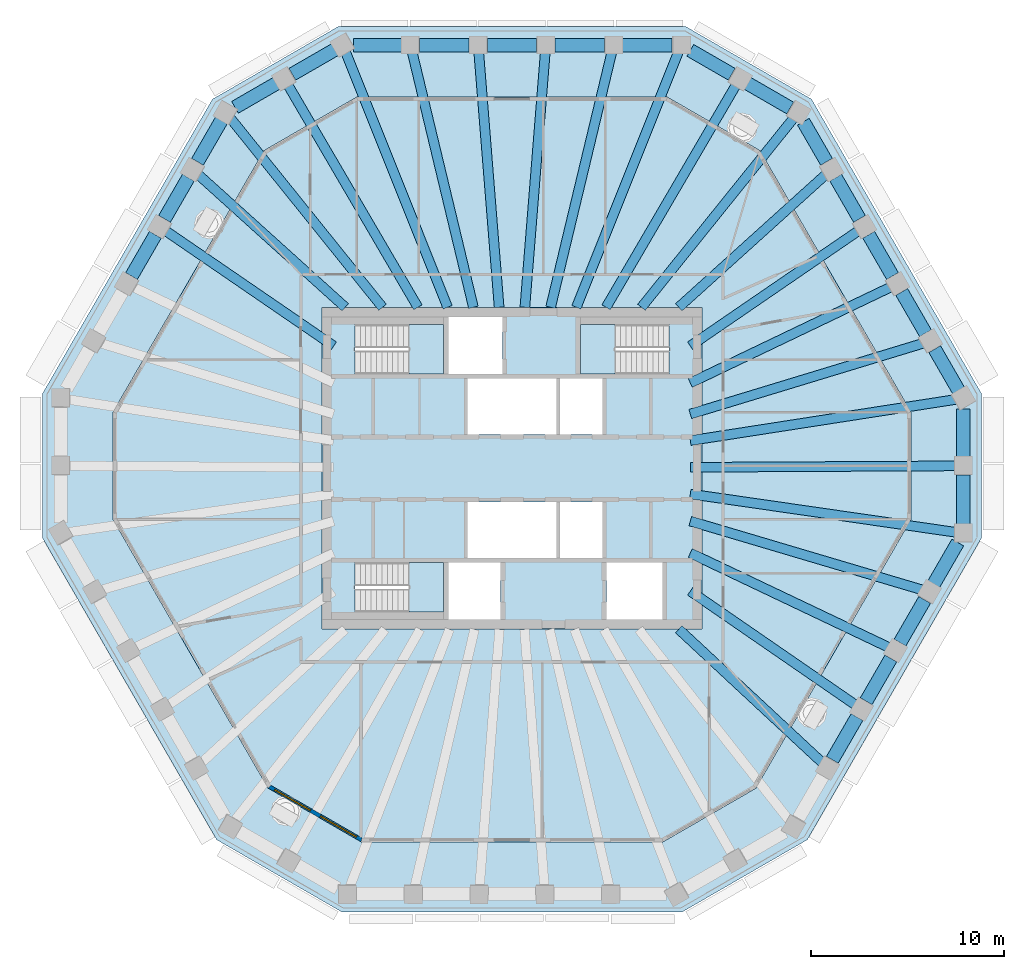
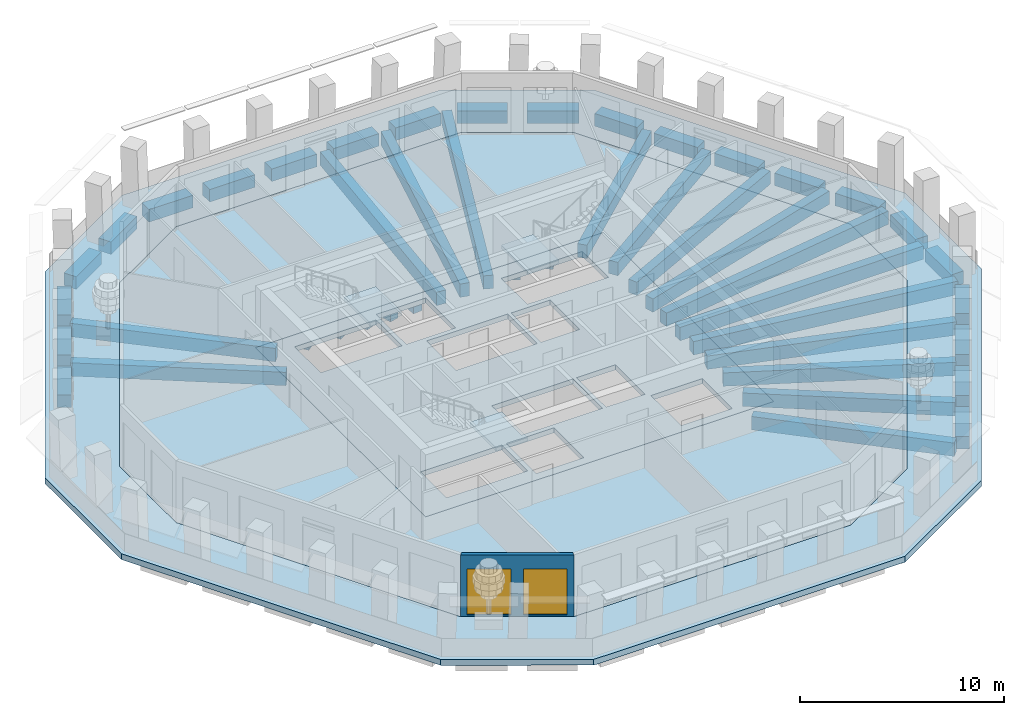
# One storey, part 2 of 12: 46 beams, 6 slabs, 2 windows, 1 wall, 2 openings, 3 elements without a shape of their own.
"""IFC4 building model written with IfcOpenShell, lengths in metres."""

from ifc_helpers import new_model, si_unit, direction, frame, frame_2d, origin, origin_2d, place, context, subcontext, project, spatial, polyline, rectangle, outline, extrude, material, layer, layer_set, material_profile, profile_set, type_object, element, fill, aggregate, save


model = new_model("IFC4")

# Units and contexts
model_context = context("Model", 3, precision=1e-05, world=origin(), true_north=direction((0.0, 1.0)))
body_context = subcontext(model_context, "Body", "Model", "MODEL_VIEW")
ifc_project = project(units=[si_unit("LENGTHUNIT", "METRE"), si_unit("AREAUNIT", "SQUARE_METRE"), si_unit("VOLUMEUNIT", "CUBIC_METRE"), si_unit("PLANEANGLEUNIT", "RADIAN"), si_unit("MASSUNIT", "GRAM", prefix="KILO")], contexts=[model_context])

# Site, building, storey
site_placement = place(None, origin())
site = spatial("IfcSite", under=ifc_project, at=site_placement, CompositionType="ELEMENT")
building_placement = place(site_placement, origin())
building = spatial("IfcBuilding", under=site, at=building_placement, Name="Frailejon Research Tower", CompositionType="ELEMENT")
storey_placement = place(building_placement, frame((0.0, 0.0, 267.0)))
storey = spatial("IfcBuildingStorey", under=building, at=storey_placement, Name="L58", CompositionType="ELEMENT", Elevation=267.0)

# Beams
ifc_material_1 = material(Name="Concrete C60/75", Category="concrete")
ifc_material_profile_1 = material_profile(ifc_material_1, rectangle(XDim=0.5, YDim=0.800048828125, at=origin_2d()), Name="Girder 500x800")
ifc_profile_set_1 = profile_set([ifc_material_profile_1], Name="Concrete C60/75")
beam_type_1 = type_object("IfcBeamType", Name="Girder 500x800", PredefinedType="BEAM", material=ifc_profile_set_1)
beam_1_placement = place(storey_placement, frame((23.06982421875, -3.3291015625, -0.699951171875), z_axis=(-0.989749182711, 0.142816509281, 0.0), x_axis=(-0.142816509281, -0.989749182711, 0.0)))
element("IfcBeam", 1, at=beam_1_placement, inside=storey, type_object=beam_type_1, Name="Girder 500x800", PredefinedType="BEAM", context=body_context, shape_type="SweptSolid", body=[
    extrude(rectangle(XDim=0.5, YDim=0.800048828125, at=origin_2d()), origin(), (0.0, 0.0, 1.0), 13.962890625),
])
beam_2_placement = place(storey_placement, frame((23.0712890625, 0.1240234375, -0.699951171875), z_axis=(-0.999985582473, -0.005369808823, 0.0), x_axis=(0.005369808823, -0.999985582473, 0.0)))
element("IfcBeam", 2, at=beam_2_placement, inside=storey, type_object=beam_type_1, Name="Girder 500x800", PredefinedType="BEAM", context=body_context, shape_type="SweptSolid", body=[
    extrude(rectangle(XDim=0.5, YDim=0.800048828125, at=origin_2d()), origin(), (0.0, 0.0, 1.0), 13.821533203125),
])
beam_3_placement = place(storey_placement, frame((23.041259765625, 3.572509765625, -0.699951171875), z_axis=(-0.988191217921, -0.153225705496, 0.0), x_axis=(0.153225705496, -0.988191217921, 0.0)))
element("IfcBeam", 3, at=beam_3_placement, inside=storey, type_object=beam_type_1, Name="Girder 500x800", PredefinedType="BEAM", context=body_context, shape_type="SweptSolid", body=[
    extrude(rectangle(XDim=0.5, YDim=0.800048828125, at=origin_2d()), origin(), (0.0, 0.0, 1.0), 13.9560546875),
])
beam_4_placement = place(storey_placement, frame((21.362060546875, 6.493408203125, -0.699951171875), z_axis=(-0.956775888303, -0.290826236028, 0.0), x_axis=(0.290826236028, -0.956775888303, 0.0)))
element("IfcBeam", 4, at=beam_4_placement, inside=storey, type_object=beam_type_1, Name="Girder 500x800", PredefinedType="BEAM", context=body_context, shape_type="SweptSolid", body=[
    extrude(rectangle(XDim=0.5, YDim=0.800048828125, at=origin_2d()), origin(), (0.0, 0.0, 1.0), 12.6591796875),
])
beam_5_placement = place(storey_placement, frame((19.67919921875, 9.414794921875, -0.699951171875), z_axis=(-0.902079537391, -0.431569818476, 0.0), x_axis=(0.431569818476, -0.902079537391, 0.0)))
element("IfcBeam", 5, at=beam_5_placement, inside=storey, type_object=beam_type_1, Name="Girder 500x800", PredefinedType="BEAM", context=body_context, shape_type="SweptSolid", body=[
    extrude(rectangle(XDim=0.5, YDim=0.800048828125, at=origin_2d()), origin(), (0.0, 0.0, 1.0), 11.561279296875),
])
beam_6_placement = place(storey_placement, frame((17.993408203125, 12.335205078125, -0.699951171875), z_axis=(-0.82479851314, -0.565426752746, 0.0), x_axis=(0.565426752746, -0.82479851314, 0.0)))
element("IfcBeam", 6, at=beam_6_placement, inside=storey, type_object=beam_type_1, Name="Girder 500x800", PredefinedType="BEAM", context=body_context, shape_type="SweptSolid", body=[
    extrude(rectangle(XDim=0.5, YDim=0.800048828125, at=origin_2d()), origin(), (0.0, 0.0, 1.0), 10.6005859375),
])
beam_7_placement = place(storey_placement, frame((16.302001953125, 15.259033203125, -0.699951171875), z_axis=(-0.742229922598, -0.670145314093, 0.0), x_axis=(0.670145314093, -0.742229922598, 0.0)))
element("IfcBeam", 7, at=beam_7_placement, inside=storey, type_object=beam_type_1, Name="Girder 500x800", PredefinedType="BEAM", context=body_context, shape_type="SweptSolid", body=[
    extrude(rectangle(XDim=0.5, YDim=0.800048828125, at=origin_2d()), origin(), (0.0, 0.0, 1.0), 10.3095703125),
])
beam_8_placement = place(storey_placement, frame((14.632568359375, 18.190185546875, -0.699951171875), z_axis=(-0.626802788542, -0.779177941343, 0.0), x_axis=(0.779177941343, -0.626802788542, 0.0)))
element("IfcBeam", 8, at=beam_8_placement, inside=storey, type_object=beam_type_1, Name="Girder 500x800", PredefinedType="BEAM", context=body_context, shape_type="SweptSolid", body=[
    extrude(rectangle(XDim=0.5, YDim=0.800048828125, at=origin_2d()), origin(), (0.0, 0.0, 1.0), 12.62890625),
])
beam_9_placement = place(storey_placement, frame((11.64306640625, 19.91845703125, -0.699951171875), z_axis=(-0.504650209681, -0.863323905535, 0.0), x_axis=(0.863323905535, -0.504650209681, 0.0)))
element("IfcBeam", 9, at=beam_9_placement, inside=storey, type_object=beam_type_1, Name="Girder 500x800", PredefinedType="BEAM", context=body_context, shape_type="SweptSolid", body=[
    extrude(rectangle(XDim=0.5, YDim=0.800048828125, at=origin_2d()), origin(), (0.0, 0.0, 1.0), 13.39990234375),
])
beam_10_placement = place(storey_placement, frame((8.64013671875, 21.6142578125, -0.699951171875), z_axis=(-0.371184395356, -0.928559176706, 0.0), x_axis=(0.928559176706, -0.371184395356, 0.0)))
element("IfcBeam", 10, at=beam_10_placement, inside=storey, type_object=beam_type_1, Name="Girder 500x800", PredefinedType="BEAM", context=body_context, shape_type="SweptSolid", body=[
    extrude(rectangle(XDim=0.5, YDim=0.800048828125, at=origin_2d()), origin(), (0.0, 0.0, 1.0), 14.28466796875),
])
beam_11_placement = place(storey_placement, frame((5.185791015625, 21.620849609375, -0.699951171875), z_axis=(-0.233243041914, -0.972418471338, 0.0), x_axis=(0.972418471338, -0.233243041914, 0.0)))
element("IfcBeam", 11, at=beam_11_placement, inside=storey, type_object=beam_type_1, Name="Girder 500x800", PredefinedType="BEAM", context=body_context, shape_type="SweptSolid", body=[
    extrude(rectangle(XDim=0.5, YDim=0.800048828125, at=origin_2d()), origin(), (0.0, 0.0, 1.0), 13.647216796875),
])
for number, where, z_axis, x_axis, name in (
    (12, (1.72900390625, 21.62451171875, -0.699951171875), (-0.079713160838, -0.996817842933, 0.0), (0.996817842933, -0.079713160838, 0.0), "Girder 500x800"),
    (13, (-1.72900390625, 21.62451171875, -0.699951171875), (0.079713160838, -0.996817842933, 0.0), (0.996817842933, 0.079713160838, 0.0), "Girder 500x800"),
):
    element("IfcBeam", number, at=place(storey_placement, frame(where, z_axis=z_axis, x_axis=x_axis)), inside=storey, type_object=beam_type_1, Name=name, PredefinedType="BEAM", context=body_context, shape_type="SweptSolid", body=[
        extrude(rectangle(XDim=0.5, YDim=0.800048828125, at=origin_2d()), origin(), (0.0, 0.0, 1.0), 13.31689453125),
    ])
beam_12_placement = place(storey_placement, frame((-5.185791015625, 21.620849609375, -0.699951171875), z_axis=(0.233243041914, -0.972418471338, 0.0), x_axis=(0.972418471338, 0.233243041914, 0.0)))
element("IfcBeam", 14, at=beam_12_placement, inside=storey, type_object=beam_type_1, Name="Girder 500x800", PredefinedType="BEAM", context=body_context, shape_type="SweptSolid", body=[
    extrude(rectangle(XDim=0.5, YDim=0.800048828125, at=origin_2d()), origin(), (0.0, 0.0, 1.0), 13.647216796875),
])
beam_13_placement = place(storey_placement, frame((-8.65185546875, 21.6435546875, -0.699951171875), z_axis=(0.37118485003, -0.928558994953, 0.0), x_axis=(0.928558994953, 0.37118485003, 0.0)))
element("IfcBeam", 15, at=beam_13_placement, inside=storey, type_object=beam_type_1, Name="Girder 500x800", PredefinedType="BEAM", context=body_context, shape_type="SweptSolid", body=[
    extrude(rectangle(XDim=0.5, YDim=0.800048828125, at=origin_2d()), origin(), (0.0, 0.0, 1.0), 14.316162109375),
])
beam_14_placement = place(storey_placement, frame((-11.64306640625, 19.91845703125, -0.699951171875), z_axis=(0.504650209681, -0.863323905535, 0.0), x_axis=(0.863323905535, 0.504650209681, 0.0)))
element("IfcBeam", 16, at=beam_14_placement, inside=storey, type_object=beam_type_1, Name="Girder 500x800", PredefinedType="BEAM", context=body_context, shape_type="SweptSolid", body=[
    extrude(rectangle(XDim=0.5, YDim=0.800048828125, at=origin_2d()), origin(), (0.0, 0.0, 1.0), 13.39990234375),
])
beam_15_placement = place(storey_placement, frame((-14.614501953125, 18.16796875, -0.699951171875), z_axis=(0.626793426431, -0.779185472518, 0.0), x_axis=(0.779185472518, 0.626793426431, 0.0)))
element("IfcBeam", 17, at=beam_15_placement, inside=storey, type_object=beam_type_1, Name="Girder 500x800", PredefinedType="BEAM", context=body_context, shape_type="SweptSolid", body=[
    extrude(rectangle(XDim=0.5, YDim=0.800048828125, at=origin_2d()), origin(), (0.0, 0.0, 1.0), 12.60009765625),
])
beam_16_placement = place(storey_placement, frame((-16.302001953125, 15.259033203125, -0.699951171875), z_axis=(0.742229922598, -0.670145314093, 0.0), x_axis=(0.670145314093, 0.742229922598, 0.0)))
element("IfcBeam", 18, at=beam_16_placement, inside=storey, type_object=beam_type_1, Name="Girder 500x800", PredefinedType="BEAM", context=body_context, shape_type="SweptSolid", body=[
    extrude(rectangle(XDim=0.5, YDim=0.800048828125, at=origin_2d()), origin(), (0.0, 0.0, 1.0), 10.3095703125),
])
beam_17_placement = place(storey_placement, frame((-17.993408203125, 12.335205078125, -0.699951171875), z_axis=(0.82479851314, -0.565426752746, 0.0), x_axis=(0.565426752746, 0.82479851314, 0.0)))
element("IfcBeam", 19, at=beam_17_placement, inside=storey, type_object=beam_type_1, Name="Girder 500x800", PredefinedType="BEAM", context=body_context, shape_type="SweptSolid", body=[
    extrude(rectangle(XDim=0.5, YDim=0.800048828125, at=origin_2d()), origin(), (0.0, 0.0, 1.0), 10.6005859375),
])
beam_18_placement = place(storey_placement, frame((16.1298828125, -15.304443359375, -0.699951171875), z_axis=(-0.732371068162, 0.680905733945, 0.0), x_axis=(-0.680905733945, -0.732371068162, 0.0)))
element("IfcBeam", 20, at=beam_18_placement, inside=storey, type_object=beam_type_1, Name="Girder 500x800", PredefinedType="BEAM", context=body_context, shape_type="SweptSolid", body=[
    extrude(rectangle(XDim=0.5, YDim=0.800048828125, at=origin_2d()), origin(), (0.0, 0.0, 1.0), 10.21337890625),
])
beam_19_placement = place(storey_placement, frame((17.86279296875, -12.309326171875, -0.699951171875), z_axis=(-0.823427141776, 0.567422014189, 0.0), x_axis=(-0.567422014189, -0.823427141776, 0.0)))
element("IfcBeam", 21, at=beam_19_placement, inside=storey, type_object=beam_type_1, Name="Girder 500x800", PredefinedType="BEAM", context=body_context, shape_type="SweptSolid", body=[
    extrude(rectangle(XDim=0.5, YDim=0.800048828125, at=origin_2d()), origin(), (0.0, 0.0, 1.0), 10.459716796875),
])
beam_20_placement = place(storey_placement, frame((19.591796875, -9.315185546875, -0.699951171875), z_axis=(-0.903112183446, 0.429404685712, 0.0), x_axis=(-0.429404685712, -0.903112183446, 0.0)))
element("IfcBeam", 22, at=beam_20_placement, inside=storey, type_object=beam_type_1, Name="Girder 500x800", PredefinedType="BEAM", context=body_context, shape_type="SweptSolid", body=[
    extrude(rectangle(XDim=0.5, YDim=0.800048828125, at=origin_2d()), origin(), (0.0, 0.0, 1.0), 11.451171875),
])
beam_21_placement = place(storey_placement, frame((21.31689453125, -6.319580078125, -0.699951171875), z_axis=(-0.958754462516, 0.28423560756, 0.0), x_axis=(-0.28423560756, -0.958754462516, 0.0)))
element("IfcBeam", 23, at=beam_21_placement, inside=storey, type_object=beam_type_1, Name="Girder 500x800", PredefinedType="BEAM", context=body_context, shape_type="SweptSolid", body=[
    extrude(rectangle(XDim=0.5, YDim=0.800048828125, at=origin_2d()), origin(), (0.0, 0.0, 1.0), 12.5859375),
])
ifc_material_2 = material(Name="Concrete C60/75", Category="concrete")
ifc_material_profile_2 = material_profile(ifc_material_2, rectangle(XDim=0.699951171875, YDim=0.75, at=origin_2d()), Name="Spandrel 700x750")
ifc_profile_set_2 = profile_set([ifc_material_profile_2], Name="Concrete C60/75")
beam_type_2 = type_object("IfcBeamType", Name="Spandrel 700x750", PredefinedType="BEAM", material=ifc_profile_set_2)
beam_22_placement = place(storey_placement, frame((23.396484375, -2.9013671875, -0.72509765625), z_axis=(0.0, 1.0, 0.0), x_axis=(-1.0, 0.0, 0.0)))
element("IfcBeam", 24, at=beam_22_placement, inside=storey, type_object=beam_type_2, Name="Spandrel 700x750", PredefinedType="BEAM", context=body_context, shape_type="SweptSolid", body=[
    extrude(rectangle(XDim=0.699951171875, YDim=0.75, at=origin_2d()), origin(), (0.0, 0.0, 1.0), 2.552001953125),
])
beam_23_placement = place(storey_placement, frame((23.396484375, 0.6005859375, -0.72509765625), z_axis=(0.0, 1.0, 0.0), x_axis=(-1.0, 0.0, 0.0)))
element("IfcBeam", 25, at=beam_23_placement, inside=storey, type_object=beam_type_2, Name="Spandrel 700x750", PredefinedType="BEAM", context=body_context, shape_type="SweptSolid", body=[
    extrude(rectangle(XDim=0.699951171875, YDim=0.75, at=origin_2d()), origin(), (0.0, 0.0, 1.0), 2.478515625),
])
beam_24_placement = place(storey_placement, frame((23.158935546875, 4.0390625, -0.72509765625), z_axis=(-0.500004501584, 0.866022804778, 0.0), x_axis=(-0.866022804778, -0.500004501584, 0.0)))
element("IfcBeam", 26, at=beam_24_placement, inside=storey, type_object=beam_type_2, Name="Spandrel 700x750", PredefinedType="BEAM", context=body_context, shape_type="SweptSolid", body=[
    extrude(rectangle(XDim=0.699951171875, YDim=0.75, at=origin_2d()), origin(), (0.0, 0.0, 1.0), 2.47265625),
])
for number, where, z_axis, x_axis, name in (
    (27, (21.447509765625, 7.003173828125, -0.72509765625), (-0.500047259291, 0.865998116901, 0.0), (-0.865998116901, -0.500047259291, 0.0), "Spandrel 700x750"),
    (28, (19.736328125, 9.96728515625, -0.72509765625), (-0.500047259291, 0.865998116901, 0.0), (-0.865998116901, -0.500047259291, 0.0), "Spandrel 700x750"),
    (29, (18.02490234375, 12.931396484375, -0.72509765625), (-0.499973199341, 0.866040876599, 0.0), (-0.866040876599, -0.499973199341, 0.0), "Spandrel 700x750"),
):
    element("IfcBeam", number, at=place(storey_placement, frame(where, z_axis=z_axis, x_axis=x_axis)), inside=storey, type_object=beam_type_2, Name=name, PredefinedType="BEAM", context=body_context, shape_type="SweptSolid", body=[
        extrude(rectangle(XDim=0.699951171875, YDim=0.75, at=origin_2d()), origin(), (0.0, 0.0, 1.0), 2.472412109375),
    ])
beam_25_placement = place(storey_placement, frame((16.313720703125, 15.8955078125, -0.72509765625), z_axis=(-0.500101250253, 0.865966939032, 0.0), x_axis=(-0.865966939032, -0.500101250253, 0.0)))
element("IfcBeam", 30, at=beam_25_placement, inside=storey, type_object=beam_type_2, Name="Spandrel 700x750", PredefinedType="BEAM", context=body_context, shape_type="SweptSolid", body=[
    extrude(rectangle(XDim=0.699951171875, YDim=0.75, at=origin_2d()), origin(), (0.0, 0.0, 1.0), 2.39892578125),
])
beam_26_placement = place(storey_placement, frame((14.428466796875, 18.685546875, -0.72509765625), z_axis=(-0.866032638483, 0.499987468925, 0.0), x_axis=(-0.499987468925, -0.866032638483, 0.0)))
element("IfcBeam", 31, at=beam_26_placement, inside=storey, type_object=beam_type_2, Name="Spandrel 700x750", PredefinedType="BEAM", context=body_context, shape_type="SweptSolid", body=[
    extrude(rectangle(XDim=0.699951171875, YDim=0.75, at=origin_2d()), origin(), (0.0, 0.0, 1.0), 2.5517578125),
])
beam_27_placement = place(storey_placement, frame((11.395751953125, 20.4365234375, -0.72509765625), z_axis=(-0.866028115054, 0.499995303914, 0.0), x_axis=(-0.499995303914, -0.866028115054, 0.0)))
element("IfcBeam", 32, at=beam_27_placement, inside=storey, type_object=beam_type_2, Name="Spandrel 700x750", PredefinedType="BEAM", context=body_context, shape_type="SweptSolid", body=[
    extrude(rectangle(XDim=0.699951171875, YDim=0.75, at=origin_2d()), origin(), (0.0, 0.0, 1.0), 2.478515625),
])
beam_28_placement = place(storey_placement, frame((8.29931640625, 21.949951171875, -0.72509765625), z_axis=(-1.0, 0.0, 0.0), x_axis=(0.0, -1.0, 0.0)))
element("IfcBeam", 33, at=beam_28_placement, inside=storey, type_object=beam_type_2, Name="Spandrel 700x750", PredefinedType="BEAM", context=body_context, shape_type="SweptSolid", body=[
    extrude(rectangle(XDim=0.699951171875, YDim=0.75, at=origin_2d()), origin(), (0.0, 0.0, 1.0), 2.559814453125),
])
for number, where, z_axis, x_axis, name in (
    (34, (4.78955078125, 21.949951171875, -0.72509765625), (-1.0, 0.0, 0.0), (0.0, -1.0, 0.0), "Spandrel 700x750"),
    (35, (1.27978515625, 21.949951171875, -0.72509765625), (-1.0, 0.0, 0.0), (0.0, -1.0, 0.0), "Spandrel 700x750"),
    (36, (-2.22998046875, 21.949951171875, -0.72509765625), (-1.0, 0.0, 0.0), (0.0, -1.0, 0.0), "Spandrel 700x750"),
):
    element("IfcBeam", number, at=place(storey_placement, frame(where, z_axis=z_axis, x_axis=x_axis)), inside=storey, type_object=beam_type_2, Name=name, PredefinedType="BEAM", context=body_context, shape_type="SweptSolid", body=[
        extrude(rectangle(XDim=0.699951171875, YDim=0.75, at=origin_2d()), origin(), (0.0, 0.0, 1.0), 2.5595703125),
    ])
beam_29_placement = place(storey_placement, frame((-5.739501953125, 21.949951171875, -0.72509765625), z_axis=(-1.0, 0.0, 0.0), x_axis=(0.0, -1.0, 0.0)))
element("IfcBeam", 37, at=beam_29_placement, inside=storey, type_object=beam_type_2, Name="Spandrel 700x750", PredefinedType="BEAM", context=body_context, shape_type="SweptSolid", body=[
    extrude(rectangle(XDim=0.699951171875, YDim=0.75, at=origin_2d()), origin(), (0.0, 0.0, 1.0), 2.486328125),
])
beam_30_placement = place(storey_placement, frame((-9.185791015625, 21.71240234375, -0.72509765625), z_axis=(-0.866032638483, -0.499987468925, 0.0), x_axis=(0.499987468925, -0.866032638483, 0.0)))
element("IfcBeam", 38, at=beam_30_placement, inside=storey, type_object=beam_type_2, Name="Spandrel 700x750", PredefinedType="BEAM", context=body_context, shape_type="SweptSolid", body=[
    extrude(rectangle(XDim=0.699951171875, YDim=0.75, at=origin_2d()), origin(), (0.0, 0.0, 1.0), 2.5517578125),
])
beam_31_placement = place(storey_placement, frame((-12.218505859375, 19.96142578125, -0.72509765625), z_axis=(-0.866003486907, -0.500037959224, 0.0), x_axis=(0.500037959224, -0.866003486907, 0.0)))
element("IfcBeam", 39, at=beam_31_placement, inside=storey, type_object=beam_type_2, Name="Spandrel 700x750", PredefinedType="BEAM", context=body_context, shape_type="SweptSolid", body=[
    extrude(rectangle(XDim=0.699951171875, YDim=0.75, at=origin_2d()), origin(), (0.0, 0.0, 1.0), 2.478271484375),
])
for number, where, z_axis, x_axis, name in (
    (40, (-15.077392578125, 18.03662109375, -0.72509765625), (-0.500047259291, -0.865998116901, 0.0), (0.865998116901, -0.500047259291, 0.0), "Spandrel 700x750"),
    (41, (-16.788818359375, 15.072509765625, -0.72509765625), (-0.499973199341, -0.866040876599, 0.0), (0.866040876599, -0.499973199341, 0.0), "Spandrel 700x750"),
    (42, (-18.5, 12.1083984375, -0.72509765625), (-0.500047259291, -0.865998116901, 0.0), (0.865998116901, -0.500047259291, 0.0), "Spandrel 700x750"),
):
    element("IfcBeam", number, at=place(storey_placement, frame(where, z_axis=z_axis, x_axis=x_axis)), inside=storey, type_object=beam_type_2, Name=name, PredefinedType="BEAM", context=body_context, shape_type="SweptSolid", body=[
        extrude(rectangle(XDim=0.699951171875, YDim=0.75, at=origin_2d()), origin(), (0.0, 0.0, 1.0), 2.472412109375),
    ])
beam_32_placement = place(storey_placement, frame((16.614501953125, -15.122802734375, -0.72509765625), z_axis=(0.499975646431, 0.866039463868, 0.0), x_axis=(-0.866039463868, 0.499975646431, 0.0)))
element("IfcBeam", 43, at=beam_32_placement, inside=storey, type_object=beam_type_2, Name="Spandrel 700x750", PredefinedType="BEAM", context=body_context, shape_type="SweptSolid", body=[
    extrude(rectangle(XDim=0.699951171875, YDim=0.75, at=origin_2d()), origin(), (0.0, 0.0, 1.0), 2.559814453125),
])
beam_33_placement = place(storey_placement, frame((18.369384765625, -12.083251953125, -0.72509765625), z_axis=(0.500016948163, 0.866015618537, 0.0), x_axis=(-0.866015618537, 0.500016948163, 0.0)))
element("IfcBeam", 44, at=beam_33_placement, inside=storey, type_object=beam_type_2, Name="Spandrel 700x750", PredefinedType="BEAM", context=body_context, shape_type="SweptSolid", body=[
    extrude(rectangle(XDim=0.699951171875, YDim=0.75, at=origin_2d()), origin(), (0.0, 0.0, 1.0), 2.5595703125),
])
beam_34_placement = place(storey_placement, frame((20.124267578125, -9.0439453125, -0.72509765625), z_axis=(0.499975646431, 0.866039463868, 0.0), x_axis=(-0.866039463868, 0.499975646431, 0.0)))
element("IfcBeam", 45, at=beam_34_placement, inside=storey, type_object=beam_type_2, Name="Spandrel 700x750", PredefinedType="BEAM", context=body_context, shape_type="SweptSolid", body=[
    extrude(rectangle(XDim=0.699951171875, YDim=0.75, at=origin_2d()), origin(), (0.0, 0.0, 1.0), 2.559814453125),
])
beam_35_placement = place(storey_placement, frame((21.87890625, -6.00439453125, -0.72509765625), z_axis=(0.500099268532, 0.865968083484, 0.0), x_axis=(-0.865968083484, 0.500099268532, 0.0)))
element("IfcBeam", 46, at=beam_35_placement, inside=storey, type_object=beam_type_2, Name="Spandrel 700x750", PredefinedType="BEAM", context=body_context, shape_type="SweptSolid", body=[
    extrude(rectangle(XDim=0.699951171875, YDim=0.75, at=origin_2d()), origin(), (0.0, 0.0, 1.0), 2.486328125),
])

# Slabs
ifc_material_3 = material(Name="Concrete C50/60", Category="concrete")
ifc_layer_1 = layer(ifc_material_3, 0.300048828125)
ifc_layer_set_1 = layer_set([ifc_layer_1], Name="Core floor slab 300 C50/60")
slab_type_1 = type_object("IfcSlabType", Name="Core floor slab 300 C50/60", PredefinedType="FLOOR", material=ifc_layer_set_1)
slab_1_placement = place(storey_placement, frame((0.0, 0.0, -0.300048828125)))
element("IfcSlab", 47, at=slab_1_placement, inside=storey, type_object=slab_type_1, Name="Core floor slab", PredefinedType="FLOOR", context=body_context, shape_type="SweptSolid", body=[
    extrude(outline(polyline([(9.85009765625, -8.35009765625), (9.85009765625, 8.35009765625), (-9.85009765625, 8.35009765625), (-9.85009765625, -8.35009765625), (9.85009765625, -8.35009765625)]), holes=[polyline([(2.300048828125, 1.75), (2.300048828125, 4.64990234375), (-2.300048828125, 4.64990234375), (-2.300048828125, 1.75), (2.300048828125, 1.75)]), polyline([(4.699951171875, 1.75), (4.699951171875, 4.64990234375), (2.5, 4.64990234375), (2.5, 1.75), (4.699951171875, 1.75)]), polyline([(2.300048828125, -4.64990234375), (2.300048828125, -1.75), (-2.300048828125, -1.75), (-2.300048828125, -4.64990234375), (2.300048828125, -4.64990234375)]), polyline([(4.699951171875, -4.64990234375), (4.699951171875, -1.75), (2.5, -1.75), (2.5, -4.64990234375), (4.699951171875, -4.64990234375)]), polyline([(-8.14697265625, 4.89990234375), (-3.550048828125, 4.89990234375), (-3.550048828125, 7.449951171875), (-8.14697265625, 7.449951171875), (-8.14697265625, 4.89990234375)]), polyline([(-8.14697265625, -7.449951171875), (-3.550048828125, -7.449951171875), (-3.550048828125, -4.89990234375), (-8.14697265625, -4.89990234375), (-8.14697265625, -7.449951171875)]), polyline([(8.14697265625, 7.449951171875), (3.550048828125, 7.449951171875), (3.550048828125, 4.89990234375), (8.14697265625, 4.89990234375), (8.14697265625, 7.449951171875)]), polyline([(-0.60009765625, -7.85009765625), (-0.60009765625, -4.89990234375), (-3.300048828125, -4.89990234375), (-3.300048828125, -7.85009765625), (-0.60009765625, -7.85009765625)]), polyline([(7.800048828125, -7.85009765625), (7.800048828125, -4.89990234375), (4.89990234375, -4.89990234375), (4.89990234375, -7.85009765625), (7.800048828125, -7.85009765625)]), polyline([(-0.5, 4.89990234375), (-0.5, 7.85009765625), (-3.300048828125, 7.85009765625), (-3.300048828125, 4.89990234375), (-0.5, 4.89990234375)])]), origin(), (0.0, 0.0, 1.0), 0.300048828125),
])
ifc_material_4 = material(Name="Concrete C40/50", Category="concrete")
ifc_layer_2 = layer(ifc_material_4, 0.35009765625)
ifc_layer_set_2 = layer_set([ifc_layer_2], Name="Loggia slab 350")
slab_type_2 = type_object("IfcSlabType", Name="Loggia slab 350", PredefinedType="USERDEFINED", material=ifc_layer_set_2)
slab_2_placement = place(storey_placement, frame((0.0, 0.0, -0.35009765625)))
element("IfcSlab", 48, at=slab_2_placement, inside=storey, type_object=slab_type_2, Name="Loggia slab L58", ObjectType="LOGGIA", PredefinedType="USERDEFINED", context=body_context, shape_type="SweptSolid", body=[
    extrude(outline(polyline([(15.317626953125, -19.269287109375), (8.81103515625, -23.025634765625), (-8.81103515625, -23.025634765625), (-15.317626953125, -19.269287109375), (-24.346435546875, -3.630859375), (-24.346435546875, 3.882080078125), (-15.535400390625, 19.1435546875), (-9.02880859375, 22.89990234375), (9.02880859375, 22.89990234375), (15.535400390625, 19.1435546875), (24.346435546875, 3.882080078125), (24.346435546875, -3.630859375), (15.317626953125, -19.269287109375)]), holes=[polyline([(20.6962890625, 2.904296875), (12.86328125, 16.471435546875), (8.05078125, 19.25), (-8.05078125, 19.25), (-12.86328125, 16.471435546875), (-20.6962890625, 2.904296875), (-20.6962890625, -2.65283203125), (-12.6455078125, -16.59716796875), (-7.8330078125, -19.375732421875), (7.8330078125, -19.375732421875), (12.6455078125, -16.59716796875), (20.6962890625, -2.65283203125), (20.6962890625, 2.904296875)])]), origin(), (0.0, 0.0, 1.0), 0.35009765625),
])
ifc_material_5 = material(Name="Concrete C40/50", Category="concrete")
ifc_layer_3 = layer(ifc_material_5, 0.300048828125)
ifc_layer_set_3 = layer_set([ifc_layer_3], Name="Slab typical 300")
slab_type_3 = type_object("IfcSlabType", Name="Slab typical 300", PredefinedType="FLOOR", material=ifc_layer_set_3)
slab_3_placement = place(storey_placement, frame((0.0, 0.0, -0.300048828125)))
element("IfcSlab", 49, at=slab_3_placement, inside=storey, type_object=slab_type_3, Name="Floor slab L58", PredefinedType="FLOOR", context=body_context, shape_type="SweptSolid", body=[
    extrude(outline(polyline([(20.6962890625, -2.65283203125), (20.6962890625, 2.904296875), (12.86328125, 16.471435546875), (8.05078125, 19.25), (-8.05078125, 19.25), (-12.86328125, 16.471435546875), (-20.6962890625, 2.904296875), (-20.6962890625, -2.65283203125), (-12.6455078125, -16.59716796875), (-7.8330078125, -19.375732421875), (7.8330078125, -19.375732421875), (12.6455078125, -16.59716796875), (20.6962890625, -2.65283203125)]), holes=[polyline([(9.25, 8.35009765625), (9.85009765625, 8.35009765625), (9.85009765625, -8.35009765625), (9.25, -8.35009765625), (-9.25, -8.35009765625), (-9.85009765625, -8.35009765625), (-9.85009765625, 8.35009765625), (-9.25, 8.35009765625), (9.25, 8.35009765625)])]), origin(), (0.0, 0.0, 1.0), 0.300048828125),
])

# Stair, slab
ifc_material_6 = material(Name="Concrete C50/60", Category="concrete")
stair_type = type_object("IfcStairType", Name="Exit stair 22 risers", PredefinedType="HALF_TURN_STAIR", material=ifc_material_6)
stair_1_placement = place(storey_placement, origin())
stair_1 = element("IfcStair", 50, at=stair_1_placement, inside=storey, type_object=stair_type, Name="L58 Exit stair ST1", PredefinedType="HALF_TURN_STAIR")
ifc_material_7 = material(Name="Concrete C50/60", Category="concrete")
ifc_layer_4 = layer(ifc_material_7, 0.199951171875)
ifc_layer_set_4 = layer_set([ifc_layer_4], Name="Stair landing slab 200")
slab_type_4 = type_object("IfcSlabType", Name="Stair landing slab 200", PredefinedType="LANDING", material=ifc_layer_set_4)
slab_4_placement = place(storey_placement, frame((0.0, 0.0, 1.800048828125)))
slab_4 = element("IfcSlab", 51, at=slab_4_placement, type_object=slab_type_4, Name="ST1 landing 1", PredefinedType="LANDING", context=body_context, shape_type="SweptSolid", body=[
    extrude(outline(polyline([(-5.35009765625, 4.89990234375), (-3.550048828125, 4.89990234375), (-3.550048828125, 7.449951171875), (-5.35009765625, 7.449951171875), (-5.35009765625, 4.89990234375)])), origin(), (0.0, 0.0, 1.0), 0.199951171875),
])
aggregate(stair_1, [slab_4])

stair_2_placement = place(storey_placement, origin())
stair_2 = element("IfcStair", 52, at=stair_2_placement, inside=storey, type_object=stair_type, Name="L58 Exit stair ST2", PredefinedType="HALF_TURN_STAIR")
slab_5_placement = place(storey_placement, frame((0.0, 0.0, 1.800048828125)))
slab_5 = element("IfcSlab", 53, at=slab_5_placement, type_object=slab_type_4, Name="ST2 landing 1", PredefinedType="LANDING", context=body_context, shape_type="SweptSolid", body=[
    extrude(outline(polyline([(-5.35009765625, -7.449951171875), (-3.550048828125, -7.449951171875), (-3.550048828125, -4.89990234375), (-5.35009765625, -4.89990234375), (-5.35009765625, -7.449951171875)])), origin(), (0.0, 0.0, 1.0), 0.199951171875),
])
aggregate(stair_2, [slab_5])

stair_3_placement = place(storey_placement, origin())
stair_3 = element("IfcStair", 54, at=stair_3_placement, inside=storey, type_object=stair_type, Name="L58 Exit stair ST3", PredefinedType="HALF_TURN_STAIR")
slab_6_placement = place(storey_placement, frame((0.0, 0.0, 1.800048828125)))
slab_6 = element("IfcSlab", 55, at=slab_6_placement, type_object=slab_type_4, Name="ST3 landing 1", PredefinedType="LANDING", context=body_context, shape_type="SweptSolid", body=[
    extrude(outline(polyline([(5.35009765625, 7.449951171875), (3.550048828125, 7.449951171875), (3.550048828125, 4.89990234375), (5.35009765625, 4.89990234375), (5.35009765625, 7.449951171875)])), origin(), (0.0, 0.0, 1.0), 0.199951171875),
])
aggregate(stair_3, [slab_6])

# Wall, openings, windows
ifc_material_8 = material(Name="Concrete C40/50 precast window wall panel", Category="concrete")
ifc_layer_5 = layer(ifc_material_8, 0.199951171875)
ifc_layer_set_5 = layer_set([ifc_layer_5], Name="Window wall 200")
wall_type = type_object("IfcWallType", Name="Window wall 200", PredefinedType="SOLIDWALL", material=ifc_layer_set_5)
wall_placement = place(storey_placement, frame((-12.572509765625, -16.52392578125, 0.0), z_axis=(0.0, 0.0, 1.0), x_axis=(0.866026017613, -0.499998936816, 0.0)))
wall = element("IfcWall", 56, at=wall_placement, inside=storey, type_object=wall_type, Name="Exterior wall L58", PredefinedType="SOLIDWALL", context=body_context, shape_type="SweptSolid", body=[
    extrude(outline(polyline([(-0.02685546875, -0.10009765625), (1.08447265625, -0.10009765625), (2.196044921875, -0.10009765625), (3.307373046875, -0.10009765625), (4.4189453125, -0.10009765625), (5.5302734375, -0.10009765625), (5.4765625, 0.10009765625), (4.38671875, 0.10009765625), (3.296630859375, 0.10009765625), (2.206787109375, 0.10009765625), (1.11669921875, 0.10009765625), (0.02685546875, 0.10009765625), (-0.02685546875, -0.10009765625)])), origin(), (0.0, 0.0, 1.0), 3.699951171875),
])
opening_1_placement = place(wall_placement, frame((0.30078125, 0.0, 0.10009765625)))
opening_1 = element("IfcOpeningElement", 57, at=opening_1_placement, cuts=wall, Name="Opening W22", PredefinedType="OPENING", context=body_context, shape_type="SweptSolid", body=[
    extrude(rectangle(XDim=2.14990234375, YDim=2.75, at=frame_2d((1.074951171875, 1.375))), frame((0.0, 0.10986328125, 0.0), z_axis=(0.0, -1.0, 0.0), x_axis=(1.0, 0.0, 0.0)), (0.0, 0.0, 1.0), 0.219970703125),
])
opening_2_placement = place(wall_placement, frame((3.052490234375, 0.0, 0.10009765625)))
opening_2 = element("IfcOpeningElement", 58, at=opening_2_placement, cuts=wall, Name="Opening W22", PredefinedType="OPENING", context=body_context, shape_type="SweptSolid", body=[
    extrude(rectangle(XDim=2.14990234375, YDim=2.75, at=frame_2d((1.074951171875, 1.375))), frame((0.0, 0.10986328125, 0.0), z_axis=(0.0, -1.0, 0.0), x_axis=(1.0, 0.0, 0.0)), (0.0, 0.0, 1.0), 0.219970703125),
])
ifc_material_9 = material(Name="Aluminium framed double glazing", Category="aluminium")
window_type = type_object("IfcWindowType", Name="Window 2150x2750", PartitioningType="SINGLE_PANEL", PredefinedType="WINDOW", material=ifc_material_9)
window_1_placement = place(opening_1_placement, origin())
window_1 = element("IfcWindow", 59, at=window_1_placement, inside=storey, type_object=window_type, Name="Window L58", OverallHeight=2.75, OverallWidth=2.14990234375, PartitioningType="SINGLE_PANEL", PredefinedType="WINDOW", context=body_context, shape_type="SweptSolid", body=[
    extrude(rectangle(XDim=2.14990234375, YDim=2.75, at=frame_2d((1.074951171875, 1.375))), frame((0.0, 0.030029296875, 0.0), z_axis=(0.0, -1.0, 0.0), x_axis=(1.0, 0.0, 0.0)), (0.0, 0.0, 1.0), 0.06005859375),
])
fill(opening_1, window_1)
window_2_placement = place(opening_2_placement, origin())
window_2 = element("IfcWindow", 60, at=window_2_placement, inside=storey, type_object=window_type, Name="Window L58", OverallHeight=2.75, OverallWidth=2.14990234375, PartitioningType="SINGLE_PANEL", PredefinedType="WINDOW", context=body_context, shape_type="SweptSolid", body=[
    extrude(rectangle(XDim=2.14990234375, YDim=2.75, at=frame_2d((1.074951171875, 1.375))), frame((0.0, 0.030029296875, 0.0), z_axis=(0.0, -1.0, 0.0), x_axis=(1.0, 0.0, 0.0)), (0.0, 0.0, 1.0), 0.06005859375),
])
fill(opening_2, window_2)

save(model, "model.ifc")
